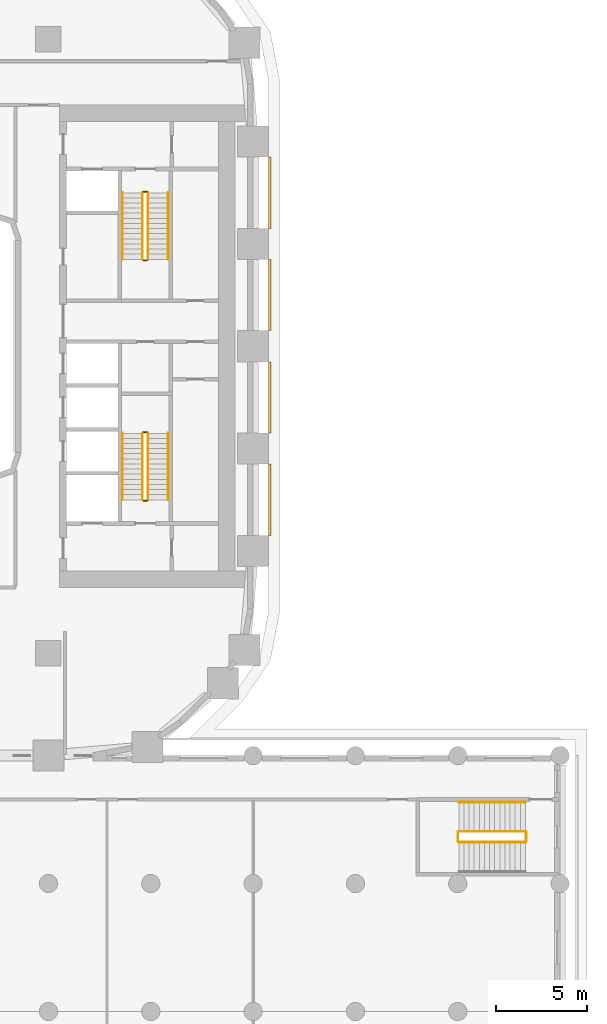
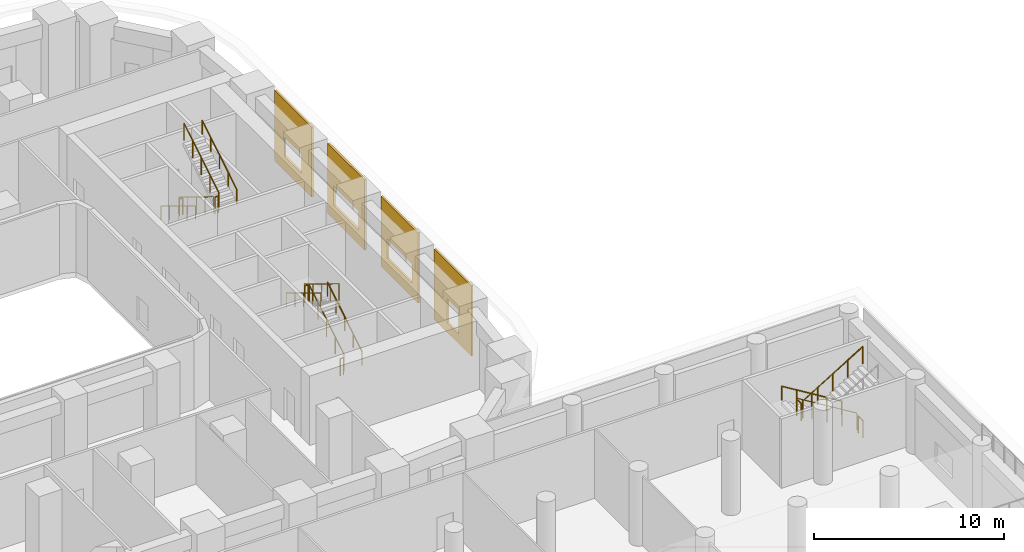
# One storey, part 22 of 23: 17 railings, 4 coverings.
"""IFC4 building model written with IfcOpenShell, lengths in metres."""

from ifc_helpers import new_model, si_unit, direction, frame, origin, origin_2d, place, context, subcontext, project, spatial, polyline, circle, outline, extrude, material, layer, layer_set, type_object, element, save


model = new_model("IFC4")

# Units and contexts
model_context = context("Model", 3, precision=1e-05, world=origin(), true_north=direction((0.0, 1.0)))
body_context = subcontext(model_context, "Body", "Model", "MODEL_VIEW")
ifc_project = project(units=[si_unit("LENGTHUNIT", "METRE"), si_unit("AREAUNIT", "SQUARE_METRE"), si_unit("VOLUMEUNIT", "CUBIC_METRE"), si_unit("PLANEANGLEUNIT", "RADIAN"), si_unit("MASSUNIT", "GRAM", prefix="KILO")], contexts=[model_context])

# Site, building, storey
site_placement = place(None, origin())
site = spatial("IfcSite", under=ifc_project, at=site_placement, CompositionType="ELEMENT")
building_placement = place(site_placement, origin())
building = spatial("IfcBuilding", under=site, at=building_placement, Name="Kiln Ring Residences", CompositionType="ELEMENT")
storey_placement = place(building_placement, frame((0.0, 0.0, 16.10009765625)))
storey = spatial("IfcBuildingStorey", under=building, at=storey_placement, Name="L03", CompositionType="ELEMENT", Elevation=16.10009765625)

# Railings
ifc_material_1 = material(Name="Stainless steel", Category="steel")
railing_type_1 = type_object("IfcRailingType", Name="CORE-STAIR-GUARD", PredefinedType="GUARDRAIL", material=ifc_material_1)
railing_1_placement = place(storey_placement, frame((21.949951171875, 8.39990234375, 0.17138671875)))
element("IfcRailing", 1, at=railing_1_placement, inside=storey, type_object=railing_type_1, Name="L03 E-STN stair guard 1", PredefinedType="GUARDRAIL", context=body_context, shape_type="SweptSolid", body=[
    extrude(circle(Radius=0.02392578125, at=origin_2d()), frame((0.0, 0.0, 1.076171875), z_axis=(0.0, -0.852850264322, 0.5221555579), x_axis=(1.0, 0.0, 0.0)), (0.0, 0.0, 1.0), 4.267822265625),
    extrude(circle(Radius=0.02099609375, at=origin_2d()), origin(), (0.0, 0.0, 1.0), 1.052001953125),
    extrude(circle(Radius=0.02099609375, at=origin_2d()), frame((0.0, -0.909912109375, 0.55712890625)), (0.0, 0.0, 1.0), 1.052001953125),
    extrude(circle(Radius=0.02099609375, at=origin_2d()), frame((0.0, -1.81982421875, 1.1142578125)), (0.0, 0.0, 1.0), 1.052001953125),
    extrude(circle(Radius=0.02099609375, at=origin_2d()), frame((0.0, -2.72998046875, 1.67138671875)), (0.0, 0.0, 1.0), 1.052001953125),
    extrude(circle(Radius=0.02099609375, at=origin_2d()), frame((0.0, -3.639892578125, 2.228515625)), (0.0, 0.0, 1.0), 1.052001953125),
])
railing_2_placement = place(storey_placement, frame((22.0, 4.7099609375, 2.39990234375)))
element("IfcRailing", 2, at=railing_2_placement, inside=storey, type_object=railing_type_1, Name="L03 E-STN stair guard 2", PredefinedType="GUARDRAIL", context=body_context, shape_type="SweptSolid", body=[
    extrude(circle(Radius=0.02392578125, at=origin_2d()), frame((0.0, 0.0, 1.076171875), z_axis=(1.0, 0.0, 0.0), x_axis=(0.0, 1.0, 0.0)), (0.0, 0.0, 1.0), 0.199951171875),
    extrude(circle(Radius=0.02099609375, at=origin_2d()), origin(), (0.0, 0.0, 1.0), 1.052001953125),
    extrude(circle(Radius=0.02099609375, at=origin_2d()), frame((0.199951171875, 0.0, 0.0)), (0.0, 0.0, 1.0), 1.052001953125),
])
railing_3_placement = place(storey_placement, frame((22.25, 4.760009765625, 2.5712890625)))
element("IfcRailing", 3, at=railing_3_placement, inside=storey, type_object=railing_type_1, Name="L03 E-STN stair guard 3", PredefinedType="GUARDRAIL", context=body_context, shape_type="SweptSolid", body=[
    extrude(circle(Radius=0.02392578125, at=origin_2d()), frame((0.0, 0.0, 1.076171875), z_axis=(0.0, 0.852850264322, 0.5221555579), x_axis=(-1.0, 0.0, 0.0)), (0.0, 0.0, 1.0), 4.267822265625),
    extrude(circle(Radius=0.02099609375, at=origin_2d()), origin(), (0.0, 0.0, 1.0), 1.052001953125),
    extrude(circle(Radius=0.02099609375, at=origin_2d()), frame((0.0, 0.909912109375, 0.55712890625)), (0.0, 0.0, 1.0), 1.052001953125),
    extrude(circle(Radius=0.02099609375, at=origin_2d()), frame((0.0, 1.81982421875, 1.1142578125)), (0.0, 0.0, 1.0), 1.052001953125),
    extrude(circle(Radius=0.02099609375, at=origin_2d()), frame((0.0, 2.72998046875, 1.67138671875)), (0.0, 0.0, 1.0), 1.052001953125),
    extrude(circle(Radius=0.02099609375, at=origin_2d()), frame((0.0, 3.639892578125, 2.228515625)), (0.0, 0.0, 1.0), 1.052001953125),
])
railing_4_placement = place(storey_placement, frame((22.0, 8.449951171875, 0.0)))
element("IfcRailing", 4, at=railing_4_placement, inside=storey, type_object=railing_type_1, Name="L03 E-STN stair guard 4", PredefinedType="GUARDRAIL", context=body_context, shape_type="SweptSolid", body=[
    extrude(circle(Radius=0.02392578125, at=origin_2d()), frame((0.0, 0.0, 1.076171875), z_axis=(1.0, 0.0, 0.0), x_axis=(0.0, 1.0, 0.0)), (0.0, 0.0, 1.0), 0.199951171875),
    extrude(circle(Radius=0.02099609375, at=origin_2d()), origin(), (0.0, 0.0, 1.0), 1.052001953125),
    extrude(circle(Radius=0.02099609375, at=origin_2d()), frame((0.199951171875, 0.0, 0.0)), (0.0, 0.0, 1.0), 1.052001953125),
])
railing_5_placement = place(storey_placement, frame((22.25, -8.39990234375, 0.17138671875)))
element("IfcRailing", 5, at=railing_5_placement, inside=storey, type_object=railing_type_1, Name="L03 E-STS stair guard 1", PredefinedType="GUARDRAIL", context=body_context, shape_type="SweptSolid", body=[
    extrude(circle(Radius=0.02392578125, at=origin_2d()), frame((0.0, 0.0, 1.076171875), z_axis=(0.0, 0.852850264322, 0.5221555579), x_axis=(-1.0, 0.0, 0.0)), (0.0, 0.0, 1.0), 4.267822265625),
    extrude(circle(Radius=0.02099609375, at=origin_2d()), origin(), (0.0, 0.0, 1.0), 1.052001953125),
    extrude(circle(Radius=0.02099609375, at=origin_2d()), frame((0.0, 0.909912109375, 0.55712890625)), (0.0, 0.0, 1.0), 1.052001953125),
    extrude(circle(Radius=0.02099609375, at=origin_2d()), frame((0.0, 1.81982421875, 1.1142578125)), (0.0, 0.0, 1.0), 1.052001953125),
    extrude(circle(Radius=0.02099609375, at=origin_2d()), frame((0.0, 2.72998046875, 1.67138671875)), (0.0, 0.0, 1.0), 1.052001953125),
    extrude(circle(Radius=0.02099609375, at=origin_2d()), frame((0.0, 3.639892578125, 2.228515625)), (0.0, 0.0, 1.0), 1.052001953125),
])
railing_6_placement = place(storey_placement, frame((22.199951171875, -4.7099609375, 2.39990234375)))
element("IfcRailing", 6, at=railing_6_placement, inside=storey, type_object=railing_type_1, Name="L03 E-STS stair guard 2", PredefinedType="GUARDRAIL", context=body_context, shape_type="SweptSolid", body=[
    extrude(circle(Radius=0.02392578125, at=origin_2d()), frame((0.0, 0.0, 1.076171875), z_axis=(-1.0, 0.0, 0.0), x_axis=(0.0, -1.0, 0.0)), (0.0, 0.0, 1.0), 0.199951171875),
    extrude(circle(Radius=0.02099609375, at=origin_2d()), origin(), (0.0, 0.0, 1.0), 1.052001953125),
    extrude(circle(Radius=0.02099609375, at=origin_2d()), frame((-0.199951171875, 0.0, 0.0)), (0.0, 0.0, 1.0), 1.052001953125),
])
railing_7_placement = place(storey_placement, frame((21.949951171875, -4.760009765625, 2.5712890625)))
element("IfcRailing", 7, at=railing_7_placement, inside=storey, type_object=railing_type_1, Name="L03 E-STS stair guard 3", PredefinedType="GUARDRAIL", context=body_context, shape_type="SweptSolid", body=[
    extrude(circle(Radius=0.02392578125, at=origin_2d()), frame((0.0, 0.0, 1.076171875), z_axis=(0.0, -0.852850264322, 0.5221555579), x_axis=(1.0, 0.0, 0.0)), (0.0, 0.0, 1.0), 4.267822265625),
    extrude(circle(Radius=0.02099609375, at=origin_2d()), origin(), (0.0, 0.0, 1.0), 1.052001953125),
    extrude(circle(Radius=0.02099609375, at=origin_2d()), frame((0.0, -0.909912109375, 0.55712890625)), (0.0, 0.0, 1.0), 1.052001953125),
    extrude(circle(Radius=0.02099609375, at=origin_2d()), frame((0.0, -1.81982421875, 1.1142578125)), (0.0, 0.0, 1.0), 1.052001953125),
    extrude(circle(Radius=0.02099609375, at=origin_2d()), frame((0.0, -2.72998046875, 1.67138671875)), (0.0, 0.0, 1.0), 1.052001953125),
    extrude(circle(Radius=0.02099609375, at=origin_2d()), frame((0.0, -3.639892578125, 2.228515625)), (0.0, 0.0, 1.0), 1.052001953125),
])
railing_8_placement = place(storey_placement, frame((22.199951171875, -8.449951171875, 0.0)))
element("IfcRailing", 8, at=railing_8_placement, inside=storey, type_object=railing_type_1, Name="L03 E-STS stair guard 4", PredefinedType="GUARDRAIL", context=body_context, shape_type="SweptSolid", body=[
    extrude(circle(Radius=0.02392578125, at=origin_2d()), frame((0.0, 0.0, 1.076171875), z_axis=(-1.0, 0.0, 0.0), x_axis=(0.0, -1.0, 0.0)), (0.0, 0.0, 1.0), 0.199951171875),
    extrude(circle(Radius=0.02099609375, at=origin_2d()), origin(), (0.0, 0.0, 1.0), 1.052001953125),
    extrude(circle(Radius=0.02099609375, at=origin_2d()), frame((-0.199951171875, 0.0, 0.0)), (0.0, 0.0, 1.0), 1.052001953125),
])
ifc_material_2 = material(Name="Stainless steel", Category="steel")
railing_type_2 = type_object("IfcRailingType", Name="CORE-STAIR-HANDRAIL", PredefinedType="HANDRAIL", material=ifc_material_2)
railing_9_placement = place(storey_placement, frame((20.85009765625, 8.39990234375, 0.17138671875)))
element("IfcRailing", 9, at=railing_9_placement, inside=storey, type_object=railing_type_2, Name="L03 E-STN stair handrail 1", PredefinedType="HANDRAIL", context=body_context, shape_type="SweptSolid", body=[
    extrude(circle(Radius=0.02392578125, at=origin_2d()), frame((0.0, 0.0, 0.8759765625), z_axis=(0.0, -0.852850264322, 0.5221555579), x_axis=(1.0, 0.0, 0.0)), (0.0, 0.0, 1.0), 4.267822265625),
    extrude(circle(Radius=0.02099609375, at=origin_2d()), origin(), (0.0, 0.0, 1.0), 0.851806640625),
    extrude(circle(Radius=0.02099609375, at=origin_2d()), frame((0.0, -0.909912109375, 0.55712890625)), (0.0, 0.0, 1.0), 0.851806640625),
    extrude(circle(Radius=0.02099609375, at=origin_2d()), frame((0.0, -1.81982421875, 1.1142578125)), (0.0, 0.0, 1.0), 0.851806640625),
    extrude(circle(Radius=0.02099609375, at=origin_2d()), frame((0.0, -2.72998046875, 1.67138671875)), (0.0, 0.0, 1.0), 0.851806640625),
    extrude(circle(Radius=0.02099609375, at=origin_2d()), frame((0.0, -3.639892578125, 2.228515625)), (0.0, 0.0, 1.0), 0.851806640625),
])
for number, where, name in (
    (10, (23.35009765625, 4.760009765625, 2.5712890625), "L03 E-STN stair handrail 2"),
    (11, (23.35009765625, -8.39990234375, 0.17138671875), "L03 E-STS stair handrail 1"),
):
    element("IfcRailing", number, at=place(storey_placement, frame(where)), inside=storey, type_object=railing_type_2, Name=name, PredefinedType="HANDRAIL", context=body_context, shape_type="SweptSolid", body=[
        extrude(circle(Radius=0.02392578125, at=origin_2d()), frame((0.0, 0.0, 0.8759765625), z_axis=(0.0, 0.852850264322, 0.5221555579), x_axis=(-1.0, 0.0, 0.0)), (0.0, 0.0, 1.0), 4.267822265625),
        extrude(circle(Radius=0.02099609375, at=origin_2d()), origin(), (0.0, 0.0, 1.0), 0.851806640625),
        extrude(circle(Radius=0.02099609375, at=origin_2d()), frame((0.0, 0.909912109375, 0.55712890625)), (0.0, 0.0, 1.0), 0.851806640625),
        extrude(circle(Radius=0.02099609375, at=origin_2d()), frame((0.0, 1.81982421875, 1.1142578125)), (0.0, 0.0, 1.0), 0.851806640625),
        extrude(circle(Radius=0.02099609375, at=origin_2d()), frame((0.0, 2.72998046875, 1.67138671875)), (0.0, 0.0, 1.0), 0.851806640625),
        extrude(circle(Radius=0.02099609375, at=origin_2d()), frame((0.0, 3.639892578125, 2.228515625)), (0.0, 0.0, 1.0), 0.851806640625),
    ])
railing_10_placement = place(storey_placement, frame((20.85009765625, -4.760009765625, 2.5712890625)))
element("IfcRailing", 12, at=railing_10_placement, inside=storey, type_object=railing_type_2, Name="L03 E-STS stair handrail 2", PredefinedType="HANDRAIL", context=body_context, shape_type="SweptSolid", body=[
    extrude(circle(Radius=0.02392578125, at=origin_2d()), frame((0.0, 0.0, 0.8759765625), z_axis=(0.0, -0.852850264322, 0.5221555579), x_axis=(1.0, 0.0, 0.0)), (0.0, 0.0, 1.0), 4.267822265625),
    extrude(circle(Radius=0.02099609375, at=origin_2d()), origin(), (0.0, 0.0, 1.0), 0.851806640625),
    extrude(circle(Radius=0.02099609375, at=origin_2d()), frame((0.0, -0.909912109375, 0.55712890625)), (0.0, 0.0, 1.0), 0.851806640625),
    extrude(circle(Radius=0.02099609375, at=origin_2d()), frame((0.0, -1.81982421875, 1.1142578125)), (0.0, 0.0, 1.0), 0.851806640625),
    extrude(circle(Radius=0.02099609375, at=origin_2d()), frame((0.0, -2.72998046875, 1.67138671875)), (0.0, 0.0, 1.0), 0.851806640625),
    extrude(circle(Radius=0.02099609375, at=origin_2d()), frame((0.0, -3.639892578125, 2.228515625)), (0.0, 0.0, 1.0), 0.851806640625),
])
ifc_material_3 = material(Name="Stainless steel", Category="steel")
railing_type_3 = type_object("IfcRailingType", Name="PODIUM-STAIR-GUARD", PredefinedType="GUARDRAIL", material=ifc_material_3)
railing_11_placement = place(storey_placement, frame((42.89990234375, -26.550048828125, 0.17138671875)))
element("IfcRailing", 13, at=railing_11_placement, inside=storey, type_object=railing_type_3, Name="L03 PS-E stair guard 1", PredefinedType="GUARDRAIL", context=body_context, shape_type="SweptSolid", body=[
    extrude(circle(Radius=0.02392578125, at=origin_2d()), frame((0.0, 0.0, 1.076171875), z_axis=(-0.852850264322, 0.0, 0.5221555579), x_axis=(0.0, -1.0, 0.0)), (0.0, 0.0, 1.0), 4.267822265625),
    extrude(circle(Radius=0.02099609375, at=origin_2d()), origin(), (0.0, 0.0, 1.0), 1.052001953125),
    extrude(circle(Radius=0.02099609375, at=origin_2d()), frame((-0.909912109375, 0.0, 0.55712890625)), (0.0, 0.0, 1.0), 1.052001953125),
    extrude(circle(Radius=0.02099609375, at=origin_2d()), frame((-1.81982421875, 0.0, 1.1142578125)), (0.0, 0.0, 1.0), 1.052001953125),
    extrude(circle(Radius=0.02099609375, at=origin_2d()), frame((-2.72998046875, 0.0, 1.67138671875)), (0.0, 0.0, 1.0), 1.052001953125),
    extrude(circle(Radius=0.02099609375, at=origin_2d()), frame((-3.639892578125, 0.0, 2.228515625)), (0.0, 0.0, 1.0), 1.052001953125),
])
railing_12_placement = place(storey_placement, frame((39.2099609375, -26.60009765625, 2.39990234375)))
element("IfcRailing", 14, at=railing_12_placement, inside=storey, type_object=railing_type_3, Name="L03 PS-E stair guard 2", PredefinedType="GUARDRAIL", context=body_context, shape_type="SweptSolid", body=[
    extrude(circle(Radius=0.02392578125, at=origin_2d()), frame((0.0, 0.0, 1.076171875), z_axis=(0.0, -1.0, 0.0), x_axis=(1.0, 0.0, 0.0)), (0.0, 0.0, 1.0), 0.5),
    extrude(circle(Radius=0.02099609375, at=origin_2d()), origin(), (0.0, 0.0, 1.0), 1.052001953125),
    extrude(circle(Radius=0.02099609375, at=origin_2d()), frame((0.0, -0.5, 0.0)), (0.0, 0.0, 1.0), 1.052001953125),
])
railing_13_placement = place(storey_placement, frame((39.260009765625, -27.14990234375, 2.5712890625)))
element("IfcRailing", 15, at=railing_13_placement, inside=storey, type_object=railing_type_3, Name="L03 PS-E stair guard 3", PredefinedType="GUARDRAIL", context=body_context, shape_type="SweptSolid", body=[
    extrude(circle(Radius=0.02392578125, at=origin_2d()), frame((0.0, 0.0, 1.076171875), z_axis=(0.852850264322, 0.0, 0.5221555579), x_axis=(0.0, 1.0, 0.0)), (0.0, 0.0, 1.0), 4.267822265625),
    extrude(circle(Radius=0.02099609375, at=origin_2d()), origin(), (0.0, 0.0, 1.0), 1.052001953125),
    extrude(circle(Radius=0.02099609375, at=origin_2d()), frame((0.909912109375, 0.0, 0.55712890625)), (0.0, 0.0, 1.0), 1.052001953125),
    extrude(circle(Radius=0.02099609375, at=origin_2d()), frame((1.81982421875, 0.0, 1.1142578125)), (0.0, 0.0, 1.0), 1.052001953125),
    extrude(circle(Radius=0.02099609375, at=origin_2d()), frame((2.72998046875, 0.0, 1.67138671875)), (0.0, 0.0, 1.0), 1.052001953125),
    extrude(circle(Radius=0.02099609375, at=origin_2d()), frame((3.639892578125, 0.0, 2.228515625)), (0.0, 0.0, 1.0), 1.052001953125),
])
railing_14_placement = place(storey_placement, frame((42.949951171875, -26.60009765625, 0.0)))
element("IfcRailing", 16, at=railing_14_placement, inside=storey, type_object=railing_type_3, Name="L03 PS-E stair guard 4", PredefinedType="GUARDRAIL", context=body_context, shape_type="SweptSolid", body=[
    extrude(circle(Radius=0.02392578125, at=origin_2d()), frame((0.0, 0.0, 1.076171875), z_axis=(0.0, -1.0, 0.0), x_axis=(1.0, 0.0, 0.0)), (0.0, 0.0, 1.0), 0.5),
    extrude(circle(Radius=0.02099609375, at=origin_2d()), origin(), (0.0, 0.0, 1.0), 1.052001953125),
    extrude(circle(Radius=0.02099609375, at=origin_2d()), frame((0.0, -0.5, 0.0)), (0.0, 0.0, 1.0), 1.052001953125),
])
ifc_material_4 = material(Name="Stainless steel", Category="steel")
railing_type_4 = type_object("IfcRailingType", Name="PODIUM-STAIR-HANDRAIL", PredefinedType="HANDRAIL", material=ifc_material_4)
railing_15_placement = place(storey_placement, frame((42.89990234375, -24.949951171875, 0.17138671875)))
element("IfcRailing", 17, at=railing_15_placement, inside=storey, type_object=railing_type_4, Name="L03 PS-E stair handrail 1", PredefinedType="HANDRAIL", context=body_context, shape_type="SweptSolid", body=[
    extrude(circle(Radius=0.02392578125, at=origin_2d()), frame((0.0, 0.0, 0.8759765625), z_axis=(-0.852850264322, 0.0, 0.5221555579), x_axis=(0.0, -1.0, 0.0)), (0.0, 0.0, 1.0), 4.267822265625),
    extrude(circle(Radius=0.02099609375, at=origin_2d()), origin(), (0.0, 0.0, 1.0), 0.851806640625),
    extrude(circle(Radius=0.02099609375, at=origin_2d()), frame((-0.909912109375, 0.0, 0.55712890625)), (0.0, 0.0, 1.0), 0.851806640625),
    extrude(circle(Radius=0.02099609375, at=origin_2d()), frame((-1.81982421875, 0.0, 1.1142578125)), (0.0, 0.0, 1.0), 0.851806640625),
    extrude(circle(Radius=0.02099609375, at=origin_2d()), frame((-2.72998046875, 0.0, 1.67138671875)), (0.0, 0.0, 1.0), 0.851806640625),
    extrude(circle(Radius=0.02099609375, at=origin_2d()), frame((-3.639892578125, 0.0, 2.228515625)), (0.0, 0.0, 1.0), 0.851806640625),
])

# Coverings
ifc_material_5 = material(Name="Brick masonry, dark clay brick", Category="masonry")
ifc_layer = layer(ifc_material_5, 0.1201171875)
ifc_layer_set = layer_set([ifc_layer], Name="RAINSCREEN PANEL 120")
covering_type = type_object("IfcCoveringType", Name="RAINSCREEN PANEL 120", PredefinedType="CLADDING", material=ifc_layer_set)
covering_1_placement = place(storey_placement, frame((28.909912109375, -10.35009765625, 0.0), z_axis=(0.0, 0.0, 1.0), x_axis=(0.0, 1.0, 0.0)))
element("IfcCovering", 18, at=covering_1_placement, inside=storey, type_object=covering_type, Name="RAINSCREEN L03", PredefinedType="CLADDING", context=body_context, shape_type="SweptSolid", body=[
    extrude(outline(polyline([(0.0, 0.0), (3.89990234375, 0.0), (3.89990234375, 4.5), (0.0, 4.5), (0.0, 0.0)]), holes=[polyline([(1.35009765625, 2.14990234375), (1.35009765625, 0.599853515625), (2.550048828125, 0.599853515625), (2.550048828125, 2.14990234375), (1.35009765625, 2.14990234375)])]), frame((0.0, 0.06005859375, 0.0), z_axis=(0.0, -1.0, 0.0), x_axis=(1.0, 0.0, 0.0)), (0.0, 0.0, 1.0), 0.1201171875),
])
for number, where, z_axis, x_axis, name in (
    (19, (28.909912109375, -4.75, 0.0), (0.0, 0.0, 1.0), (0.0, 1.0, 0.0), "RAINSCREEN L03"),
    (20, (28.909912109375, 0.85009765625, 0.0), (0.0, 0.0, 1.0), (0.0, 1.0, 0.0), "RAINSCREEN L03"),
):
    element("IfcCovering", number, at=place(storey_placement, frame(where, z_axis=z_axis, x_axis=x_axis)), inside=storey, type_object=covering_type, Name=name, PredefinedType="CLADDING", context=body_context, shape_type="SweptSolid", body=[
        extrude(outline(polyline([(0.0, 0.0), (3.89990234375, 0.0), (3.89990234375, 4.5), (0.0, 4.5), (0.0, 0.0)]), holes=[polyline([(0.64990234375, 2.14990234375), (0.64990234375, 0.89990234375), (3.25, 0.89990234375), (3.25, 2.14990234375), (0.64990234375, 2.14990234375)])]), frame((0.0, 0.06005859375, 0.0), z_axis=(0.0, -1.0, 0.0), x_axis=(1.0, 0.0, 0.0)), (0.0, 0.0, 1.0), 0.1201171875),
    ])
covering_2_placement = place(storey_placement, frame((28.909912109375, 6.449951171875, 0.0), z_axis=(0.0, 0.0, 1.0), x_axis=(0.0, 1.0, 0.0)))
element("IfcCovering", 21, at=covering_2_placement, inside=storey, type_object=covering_type, Name="RAINSCREEN L03", PredefinedType="CLADDING", context=body_context, shape_type="SweptSolid", body=[
    extrude(outline(polyline([(0.0, 0.0), (3.89990234375, 0.0), (3.89990234375, 4.5), (0.0, 4.5), (0.0, 0.0)]), holes=[polyline([(1.050048828125, 2.14990234375), (1.050048828125, 0.89990234375), (2.85009765625, 0.89990234375), (2.85009765625, 2.14990234375), (1.050048828125, 2.14990234375)])]), frame((0.0, 0.06005859375, 0.0), z_axis=(0.0, -1.0, 0.0), x_axis=(1.0, 0.0, 0.0)), (0.0, 0.0, 1.0), 0.1201171875),
])

save(model, "model.ifc")
